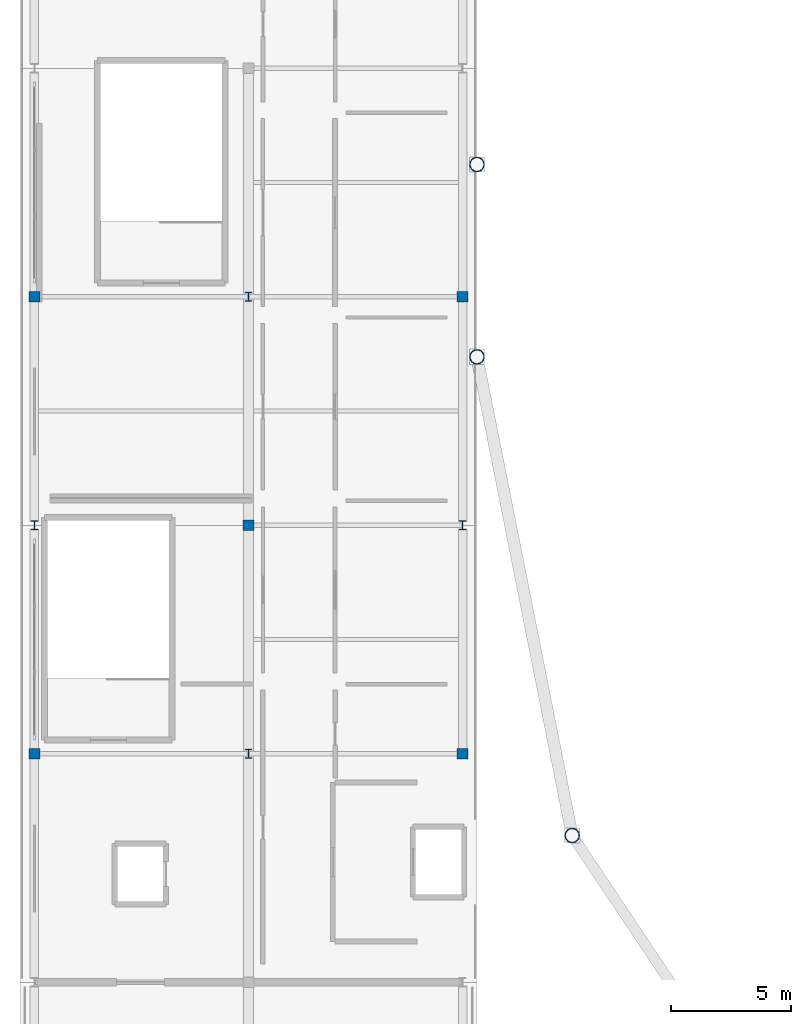
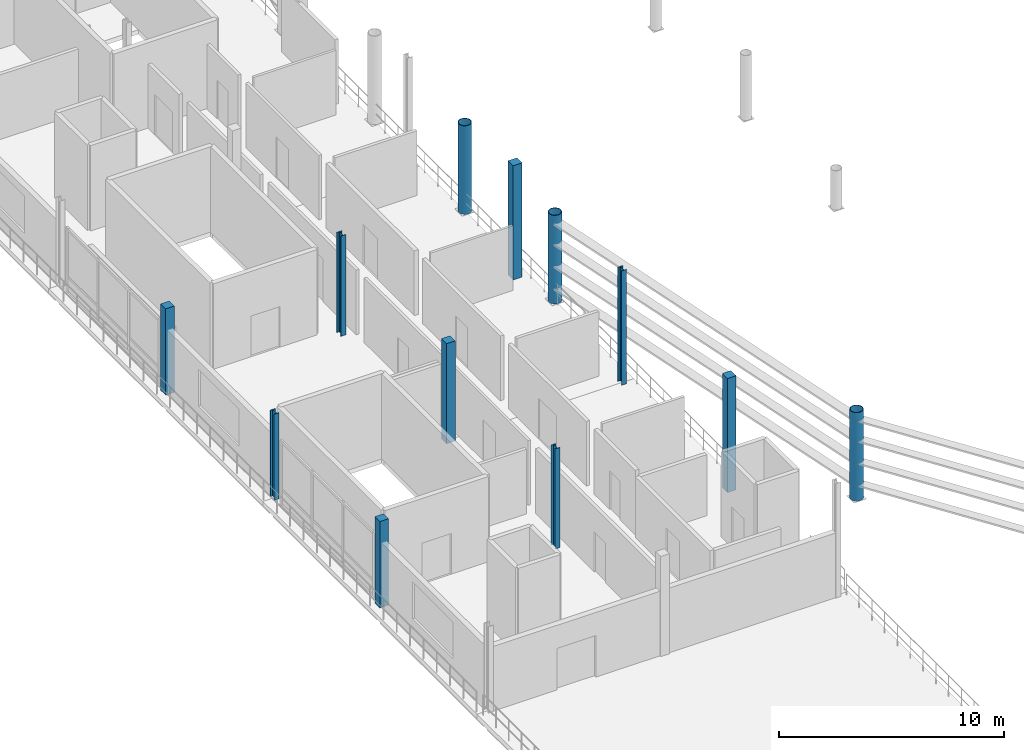
# One storey, part 3 of 29: 12 columns.
"""IFC4 building model written with IfcOpenShell, lengths in metres."""

from ifc_helpers import new_model, si_unit, direction, frame, origin, origin_2d, place, context, subcontext, project, spatial, rectangle, hollow_circle, i_section, extrude, material, material_profile, profile_set, type_object, element, save


model = new_model("IFC4")

# Units and contexts
model_context = context("Model", 3, precision=1e-05, world=origin(), true_north=direction((0.0, 1.0)))
body_context = subcontext(model_context, "Body", "Model", "MODEL_VIEW")
ifc_project = project(units=[si_unit("LENGTHUNIT", "METRE"), si_unit("AREAUNIT", "SQUARE_METRE"), si_unit("VOLUMEUNIT", "CUBIC_METRE"), si_unit("PLANEANGLEUNIT", "RADIAN"), si_unit("MASSUNIT", "GRAM", prefix="KILO")], contexts=[model_context])

# Site, building, storey
site_placement = place(None, origin())
site = spatial("IfcSite", under=ifc_project, at=site_placement, CompositionType="ELEMENT")
building_placement = place(site_placement, origin())
building = spatial("IfcBuilding", under=site, at=building_placement, Name="Candeia Ridge Stadium", CompositionType="ELEMENT")
storey_placement = place(building_placement, frame((0.0, 0.0, 27.0)))
storey = spatial("IfcBuildingStorey", under=building, at=storey_placement, Name="L05", CompositionType="ELEMENT", Elevation=27.0)

# Columns
ifc_material_1 = material(Name="Steel ASTM A572 Grade 50", Category="steel")
ifc_material_profile_1 = material_profile(ifc_material_1, i_section(OverallWidth=0.257080078125, OverallDepth=0.363037109375, WebThickness=0.012939453125, FlangeThickness=0.021728515625, FilletRadius=0.014892578125, at=origin_2d()), Name="W360x122", Category="steel")
ifc_profile_set_1 = profile_set([ifc_material_profile_1], Name="Steel ASTM A572 Grade 50")
column_type_1 = type_object("IfcColumnType", Name="Gate Steel Column W360x122", PredefinedType="COLUMN", material=ifc_profile_set_1)
column_1_placement = place(storey_placement, frame((0.60009765625, 64.0, 0.0), z_axis=(0.0, 0.0, 1.0), x_axis=(1.0, 0.0, 0.0)))
element("IfcColumn", 1, at=column_1_placement, inside=storey, type_object=column_type_1, Name="Structural column WP-00-05 L05", PredefinedType="COLUMN", context=body_context, shape_type="SweptSolid", body=[
    extrude(i_section(OverallWidth=0.257080078125, OverallDepth=0.363037109375, WebThickness=0.012939453125, FlangeThickness=0.021728515625, FilletRadius=0.014892578125, at=origin_2d()), origin(), (0.0, 0.0, 1.0), 4.671142578125),
])
for number, where, z_axis, x_axis, name in (
    (2, (9.5, 54.5, 0.0), (0.0, 0.0, 1.0), (1.0, 0.0, 0.0), "Structural column WP-01-04 L05"),
    (3, (9.5, 73.5, 0.0), (0.0, 0.0, 1.0), (1.0, 0.0, 0.0), "Structural column WP-01-06 L05"),
):
    element("IfcColumn", number, at=place(storey_placement, frame(where, z_axis=z_axis, x_axis=x_axis)), inside=storey, type_object=column_type_1, Name=name, PredefinedType="COLUMN", context=body_context, shape_type="SweptSolid", body=[
        extrude(i_section(OverallWidth=0.257080078125, OverallDepth=0.363037109375, WebThickness=0.012939453125, FlangeThickness=0.021728515625, FilletRadius=0.014892578125, at=origin_2d()), origin(), (0.0, 0.0, 1.0), 5.428466796875),
    ])
column_2_placement = place(storey_placement, frame((18.39990234375, 64.0, 0.0), z_axis=(0.0, 0.0, 1.0), x_axis=(1.0, 0.0, 0.0)))
element("IfcColumn", 4, at=column_2_placement, inside=storey, type_object=column_type_1, Name="Structural column WP-02-05 L05", PredefinedType="COLUMN", context=body_context, shape_type="SweptSolid", body=[
    extrude(i_section(OverallWidth=0.257080078125, OverallDepth=0.363037109375, WebThickness=0.012939453125, FlangeThickness=0.021728515625, FilletRadius=0.014892578125, at=origin_2d()), origin(), (0.0, 0.0, 1.0), 6.18603515625),
])
ifc_material_2 = material(Name="Concrete C40/50", Category="concrete")
ifc_material_profile_2 = material_profile(ifc_material_2, rectangle(XDim=0.449951171875, YDim=0.449951171875, at=origin_2d()), Name="RC450x450", Category="concrete")
ifc_profile_set_2 = profile_set([ifc_material_profile_2], Name="Concrete C40/50")
column_type_2 = type_object("IfcColumnType", Name="Reinforced Concrete Column RC450x450", PredefinedType="COLUMN", material=ifc_profile_set_2)
for number, where, z_axis, x_axis, name in (
    (5, (0.60009765625, 54.5, 0.0), (0.0, 0.0, 1.0), (1.0, 0.0, 0.0), "Structural column WP-00-04 L05"),
    (6, (0.60009765625, 73.5, 0.0), (0.0, 0.0, 1.0), (1.0, 0.0, 0.0), "Structural column WP-00-06 L05"),
):
    element("IfcColumn", number, at=place(storey_placement, frame(where, z_axis=z_axis, x_axis=x_axis)), inside=storey, type_object=column_type_2, Name=name, PredefinedType="COLUMN", context=body_context, shape_type="SweptSolid", body=[
        extrude(rectangle(XDim=0.449951171875, YDim=0.449951171875, at=origin_2d()), origin(), (0.0, 0.0, 1.0), 4.671142578125),
    ])
column_3_placement = place(storey_placement, frame((9.5, 64.0, 0.0), z_axis=(0.0, 0.0, 1.0), x_axis=(1.0, 0.0, 0.0)))
element("IfcColumn", 7, at=column_3_placement, inside=storey, type_object=column_type_2, Name="Structural column WP-01-05 L05", PredefinedType="COLUMN", context=body_context, shape_type="SweptSolid", body=[
    extrude(rectangle(XDim=0.449951171875, YDim=0.449951171875, at=origin_2d()), origin(), (0.0, 0.0, 1.0), 5.428466796875),
])
for number, where, z_axis, x_axis, name in (
    (8, (18.39990234375, 54.5, 0.0), (0.0, 0.0, 1.0), (1.0, 0.0, 0.0), "Structural column WP-02-04 L05"),
    (9, (18.39990234375, 73.5, 0.0), (0.0, 0.0, 1.0), (1.0, 0.0, 0.0), "Structural column WP-02-06 L05"),
):
    element("IfcColumn", number, at=place(storey_placement, frame(where, z_axis=z_axis, x_axis=x_axis)), inside=storey, type_object=column_type_2, Name=name, PredefinedType="COLUMN", context=body_context, shape_type="SweptSolid", body=[
        extrude(rectangle(XDim=0.449951171875, YDim=0.449951171875, at=origin_2d()), origin(), (0.0, 0.0, 1.0), 6.18603515625),
    ])
ifc_material_profile_3 = material_profile(ifc_material_1, hollow_circle(Radius=0.304931640625, WallThickness=0.02490234375, at=origin_2d()), Name="CHS610x25", Category="steel")
ifc_profile_set_3 = profile_set([ifc_material_profile_3], Name="Steel ASTM A572 Grade 50")
column_type_3 = type_object("IfcColumnType", Name="Roof Mast Column CHS610x25", PredefinedType="PILASTER", material=ifc_profile_set_3)
for number, where, z_axis, x_axis, name in (
    (10, (19.0, 79.0, 0.0), (0.0, 0.0, 1.0), (1.0, 0.0, 0.0), "Roof truss steel mast column BC-OU-13 L05"),
    (11, (19.0, 71.0, 0.0), (0.0, 0.0, 1.0), (1.0, 0.0, 0.0), "Roof truss steel mast column BC-OU-14 L05"),
    (12, (22.958251953125, 51.100341796875, 0.0), (0.0, 0.0, 1.0), (1.0, 0.0, 0.0), "Roof truss steel mast column BC-OU-15 L05"),
):
    element("IfcColumn", number, at=place(storey_placement, frame(where, z_axis=z_axis, x_axis=x_axis)), inside=storey, type_object=column_type_3, Name=name, PredefinedType="PILASTER", context=body_context, shape_type="SweptSolid", body=[
        extrude(hollow_circle(Radius=0.304931640625, WallThickness=0.02490234375, at=origin_2d()), origin(), (0.0, 0.0, 1.0), 4.800048828125),
    ])

save(model, "model.ifc")
